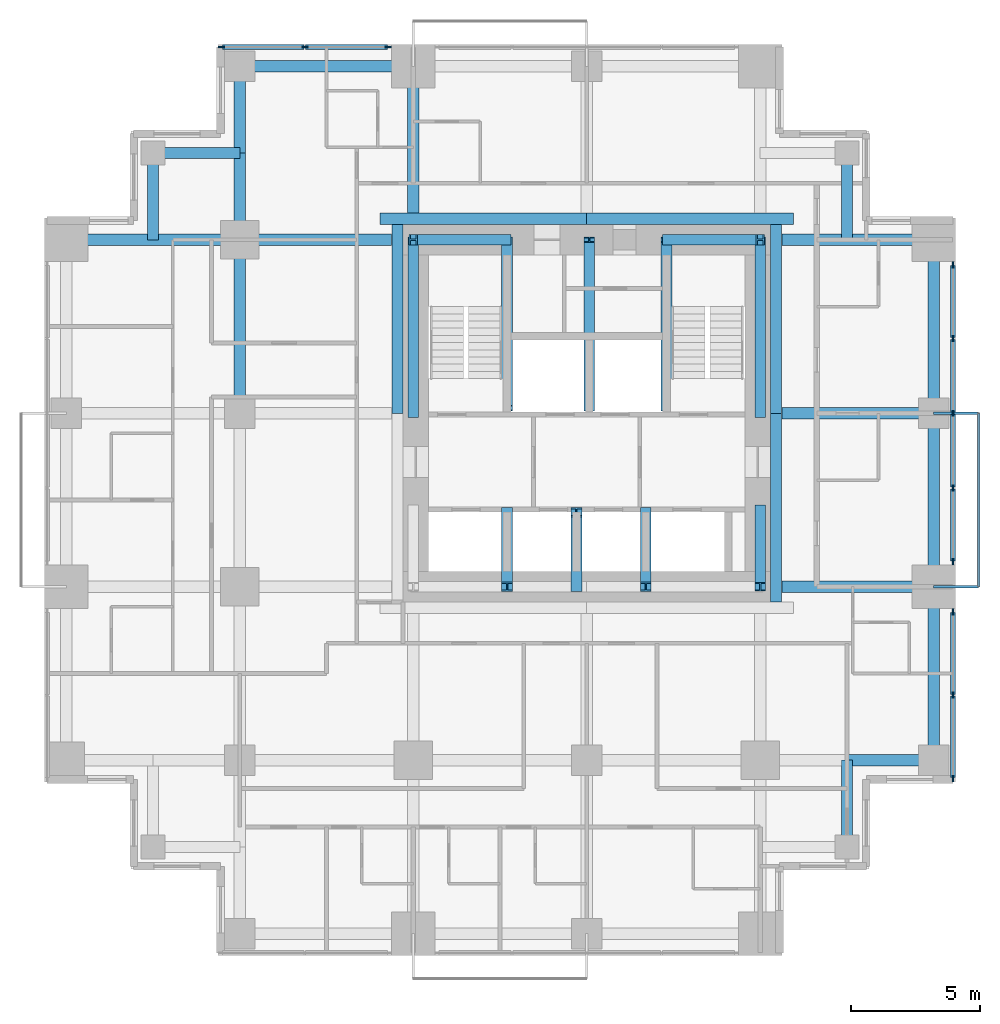
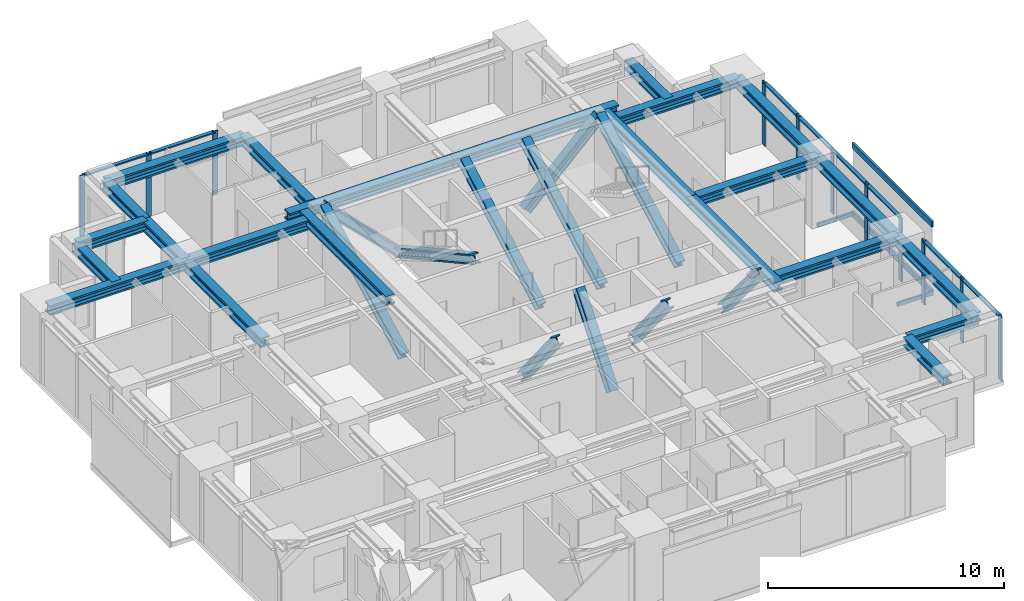
# One storey, part 3 of 10: 34 members, 23 beams, 3 elements without a shape of their own.
"""IFC4 building model written with IfcOpenShell, lengths in metres."""

from ifc_helpers import new_model, si_unit, direction, frame, origin, origin_2d, place, context, subcontext, project, spatial, rectangle, hollow_rectangle, i_section, extrude, material, material_profile, profile_set, type_object, element, aggregate, save


model = new_model("IFC4")

# Units and contexts
model_context = context("Model", 3, precision=1e-05, world=origin(), true_north=direction((0.0, 1.0)))
body_context = subcontext(model_context, "Body", "Model", "MODEL_VIEW")
ifc_project = project(units=[si_unit("LENGTHUNIT", "METRE"), si_unit("AREAUNIT", "SQUARE_METRE"), si_unit("VOLUMEUNIT", "CUBIC_METRE"), si_unit("PLANEANGLEUNIT", "RADIAN"), si_unit("MASSUNIT", "GRAM", prefix="KILO")], contexts=[model_context])

# Site, building, storey
site_placement = place(None, origin())
site = spatial("IfcSite", under=ifc_project, at=site_placement, CompositionType="ELEMENT")
building_placement = place(site_placement, origin())
building = spatial("IfcBuilding", under=site, at=building_placement, Name="Nyansa Garden Tower", CompositionType="ELEMENT")
storey_placement = place(building_placement, frame((0.0, 0.0, 196.199951171875)))
storey = spatial("IfcBuildingStorey", under=building, at=storey_placement, Name="L53", CompositionType="ELEMENT", Elevation=196.199951171875)

# Curtain wall, members
ifc_material_1 = material(Name="Black anodised aluminium, dark tinted double glazing", Category="aluminium")
curtain_wall_type = type_object("IfcCurtainWallType", Name="Inner skin curtain wall ISW-C", PredefinedType="USERDEFINED", material=ifc_material_1)
curtain_wall_1_placement = place(storey_placement, origin())
curtain_wall_1 = element("IfcCurtainWall", 1, at=curtain_wall_1_placement, inside=storey, type_object=curtain_wall_type, Name="Inner skin curtain wall L53 E", ObjectType="UNITISED CURTAIN WALL", PredefinedType="USERDEFINED")
ifc_material_2 = material(Name="Black anodised aluminium", Category="aluminium")
ifc_material_profile_1 = material_profile(ifc_material_2, rectangle(XDim=0.070068359375, YDim=0.25, at=origin_2d()), Name="Mullion 250x70")
ifc_profile_set_1 = profile_set([ifc_material_profile_1], Name="Black anodised aluminium")
member_type_1 = type_object("IfcMemberType", Name="Mullion ISW-C 250x70", PredefinedType="MULLION", material=ifc_profile_set_1)
member_1_placement = place(storey_placement, frame((34.5, 6.034912109375, 0.0), z_axis=(0.0, 0.0, 1.0), x_axis=(-1.0, 0.0, 0.0)))
member_1 = element("IfcMember", 2, at=member_1_placement, type_object=member_type_1, Name="ISW-C mullion 1", PredefinedType="MULLION", context=body_context, shape_type="SweptSolid", body=[
    extrude(rectangle(XDim=0.070068359375, YDim=0.25, at=origin_2d()), origin(), (0.0, 0.0, 1.0), 3.300048828125),
])
member_2_placement = place(storey_placement, frame((34.5, 9.280029296875, 0.0), z_axis=(0.0, 0.0, 1.0), x_axis=(-1.0, 0.0, 0.0)))
member_2 = element("IfcMember", 3, at=member_2_placement, type_object=member_type_1, Name="ISW-C mullion 2", PredefinedType="MULLION", context=body_context, shape_type="SweptSolid", body=[
    extrude(rectangle(XDim=0.070068359375, YDim=0.25, at=origin_2d()), origin(), (0.0, 0.0, 1.0), 3.300048828125),
])
member_3_placement = place(storey_placement, frame((34.5, 12.52490234375, 0.0), z_axis=(0.0, 0.0, 1.0), x_axis=(-1.0, 0.0, 0.0)))
member_3 = element("IfcMember", 4, at=member_3_placement, type_object=member_type_1, Name="ISW-C mullion 3", PredefinedType="MULLION", context=body_context, shape_type="SweptSolid", body=[
    extrude(rectangle(XDim=0.070068359375, YDim=0.25, at=origin_2d()), origin(), (0.0, 0.0, 1.0), 3.300048828125),
])

curtain_wall_2_placement = place(storey_placement, origin())
curtain_wall_2 = element("IfcCurtainWall", 5, at=curtain_wall_2_placement, inside=storey, type_object=curtain_wall_type, Name="Inner skin curtain wall L53 E", ObjectType="UNITISED CURTAIN WALL", PredefinedType="USERDEFINED")
member_4_placement = place(storey_placement, frame((34.5, 14.47509765625, 0.0), z_axis=(0.0, 0.0, 1.0), x_axis=(-1.0, 0.0, 0.0)))
member_4 = element("IfcMember", 6, at=member_4_placement, type_object=member_type_1, Name="ISW-C mullion 1", PredefinedType="MULLION", context=body_context, shape_type="SweptSolid", body=[
    extrude(rectangle(XDim=0.070068359375, YDim=0.25, at=origin_2d()), origin(), (0.0, 0.0, 1.0), 3.300048828125),
])
member_5_placement = place(storey_placement, frame((34.5, 17.344970703125, 0.0), z_axis=(0.0, 0.0, 1.0), x_axis=(-1.0, 0.0, 0.0)))
member_5 = element("IfcMember", 7, at=member_5_placement, type_object=member_type_1, Name="ISW-C mullion 2", PredefinedType="MULLION", context=body_context, shape_type="SweptSolid", body=[
    extrude(rectangle(XDim=0.070068359375, YDim=0.25, at=origin_2d()), origin(), (0.0, 0.0, 1.0), 3.300048828125),
])
member_6_placement = place(storey_placement, frame((34.5, 20.25, 0.0), z_axis=(0.0, 0.0, 1.0), x_axis=(-1.0, 0.0, 0.0)))
member_6 = element("IfcMember", 8, at=member_6_placement, type_object=member_type_1, Name="ISW-C mullion 3", PredefinedType="MULLION", context=body_context, shape_type="SweptSolid", body=[
    extrude(rectangle(XDim=0.070068359375, YDim=0.25, at=origin_2d()), origin(), (0.0, 0.0, 1.0), 3.300048828125),
])
member_7_placement = place(storey_placement, frame((34.5, 23.155029296875, 0.0), z_axis=(0.0, 0.0, 1.0), x_axis=(-1.0, 0.0, 0.0)))
member_7 = element("IfcMember", 9, at=member_7_placement, type_object=member_type_1, Name="ISW-C mullion 4", PredefinedType="MULLION", context=body_context, shape_type="SweptSolid", body=[
    extrude(rectangle(XDim=0.070068359375, YDim=0.25, at=origin_2d()), origin(), (0.0, 0.0, 1.0), 3.300048828125),
])
member_8_placement = place(storey_placement, frame((34.5, 26.02490234375, 0.0), z_axis=(0.0, 0.0, 1.0), x_axis=(-1.0, 0.0, 0.0)))
member_8 = element("IfcMember", 10, at=member_8_placement, type_object=member_type_1, Name="ISW-C mullion 5", PredefinedType="MULLION", context=body_context, shape_type="SweptSolid", body=[
    extrude(rectangle(XDim=0.070068359375, YDim=0.25, at=origin_2d()), origin(), (0.0, 0.0, 1.0), 3.300048828125),
])

curtain_wall_3_placement = place(storey_placement, origin())
curtain_wall_3 = element("IfcCurtainWall", 11, at=curtain_wall_3_placement, inside=storey, type_object=curtain_wall_type, Name="Inner skin curtain wall L53 N", ObjectType="UNITISED CURTAIN WALL", PredefinedType="USERDEFINED")
member_9_placement = place(storey_placement, frame((12.52490234375, 34.5, 0.0), z_axis=(0.0, 0.0, 1.0), x_axis=(0.0, -1.0, 0.0)))
member_9 = element("IfcMember", 12, at=member_9_placement, type_object=member_type_1, Name="ISW-C mullion 1", PredefinedType="MULLION", context=body_context, shape_type="SweptSolid", body=[
    extrude(rectangle(XDim=0.070068359375, YDim=0.25, at=origin_2d()), origin(), (0.0, 0.0, 1.0), 3.300048828125),
])
member_10_placement = place(storey_placement, frame((9.280029296875, 34.5, 0.0), z_axis=(0.0, 0.0, 1.0), x_axis=(0.0, -1.0, 0.0)))
member_10 = element("IfcMember", 13, at=member_10_placement, type_object=member_type_1, Name="ISW-C mullion 2", PredefinedType="MULLION", context=body_context, shape_type="SweptSolid", body=[
    extrude(rectangle(XDim=0.070068359375, YDim=0.25, at=origin_2d()), origin(), (0.0, 0.0, 1.0), 3.300048828125),
])
member_11_placement = place(storey_placement, frame((6.034912109375, 34.5, 0.0), z_axis=(0.0, 0.0, 1.0), x_axis=(0.0, -1.0, 0.0)))
member_11 = element("IfcMember", 14, at=member_11_placement, type_object=member_type_1, Name="ISW-C mullion 3", PredefinedType="MULLION", context=body_context, shape_type="SweptSolid", body=[
    extrude(rectangle(XDim=0.070068359375, YDim=0.25, at=origin_2d()), origin(), (0.0, 0.0, 1.0), 3.300048828125),
])

# Members
ifc_material_3 = material(Name="Steel S355, black powder coated", Category="steel")
ifc_material_profile_2 = material_profile(ifc_material_3, hollow_rectangle(XDim=0.10009765625, YDim=0.199951171875, WallThickness=0.008056640625, at=origin_2d()), Name="RHS 200x100x8")
ifc_profile_set_2 = profile_set([ifc_material_profile_2], Name="Steel S355, black powder coated")
member_type_2 = type_object("IfcMemberType", Name="Outer skin bracket arm RHS 200x100x8", PredefinedType="USERDEFINED", material=ifc_profile_set_2)
for number, where, z_axis, x_axis, name in (
    (15, (33.75, 13.5, -0.375), (1.0, 0.0, 0.0), (0.0, 1.0, 0.0), "Outer skin bracket arm"),
    (16, (33.75, 20.25, -0.375), (1.0, 0.0, 0.0), (0.0, 1.0, 0.0), "Outer skin bracket arm"),
):
    element("IfcMember", number, at=place(storey_placement, frame(where, z_axis=z_axis, x_axis=x_axis)), inside=storey, type_object=member_type_2, Name=name, ObjectType="OUTER SKIN BRACKET", PredefinedType="USERDEFINED", context=body_context, shape_type="SweptSolid", body=[
        extrude(hollow_rectangle(XDim=0.10009765625, YDim=0.199951171875, WallThickness=0.008056640625, at=origin_2d()), origin(), (0.0, 0.0, 1.0), 1.75),
    ])
ifc_material_4 = material(Name="Steel S355, black powder coated", Category="steel")
ifc_material_profile_3 = material_profile(ifc_material_4, hollow_rectangle(XDim=0.10009765625, YDim=0.300048828125, WallThickness=0.010009765625, at=origin_2d()), Name="RHS 300x100x10")
ifc_profile_set_3 = profile_set([ifc_material_profile_3], Name="Steel S355, black powder coated")
member_type_3 = type_object("IfcMemberType", Name="Outer skin rail RHS 300x100x10", PredefinedType="USERDEFINED", material=ifc_profile_set_3)
for number, where, z_axis, x_axis, name in (
    (17, (35.5, 13.5, -0.375), (0.0, 1.0, 0.0), (-1.0, 0.0, 0.0), "Outer skin rail L53"),
    (18, (35.5, 13.5, 3.150146484375), (0.0, 1.0, 0.0), (-1.0, 0.0, 0.0), "Outer skin rail L53 head"),
):
    element("IfcMember", number, at=place(storey_placement, frame(where, z_axis=z_axis, x_axis=x_axis)), inside=storey, type_object=member_type_3, Name=name, ObjectType="OUTER SKIN RAIL", PredefinedType="USERDEFINED", context=body_context, shape_type="SweptSolid", body=[
        extrude(hollow_rectangle(XDim=0.10009765625, YDim=0.300048828125, WallThickness=0.010009765625, at=origin_2d()), origin(), (0.0, 0.0, 1.0), 6.75),
    ])
ifc_material_5 = material(Name="Steel S355", Category="steel")
ifc_material_profile_4 = material_profile(ifc_material_5, i_section(OverallWidth=0.41796875, OverallDepth=0.455078125, WebThickness=0.0419921875, FlangeThickness=0.067626953125, FilletRadius=0.014892578125, at=origin_2d()), Name="HD 400x463")
ifc_profile_set_4 = profile_set([ifc_material_profile_4], Name="Steel S355")
member_type_4 = type_object("IfcMemberType", Name="Perimeter brace heavy HD 400x463", PredefinedType="BRACE", material=ifc_profile_set_4)
for number, where, z_axis, x_axis, name in (
    (19, (17.14990234375, 27.0, 0.0), (-0.711947531702, 0.0, 0.702232662373), (0.0, -1.0, 0.0), "Core brace CN3 L53"),
    (20, (23.35009765625, 27.0, 0.0), (0.711947531702, 0.0, 0.702232662373), (0.0, 1.0, 0.0), "Core brace CN4 L53"),
):
    element("IfcMember", number, at=place(storey_placement, frame(where, z_axis=z_axis, x_axis=x_axis)), inside=storey, type_object=member_type_4, Name=name, PredefinedType="BRACE", context=body_context, shape_type="SweptSolid", body=[
        extrude(i_section(OverallWidth=0.41796875, OverallDepth=0.455078125, WebThickness=0.0419921875, FlangeThickness=0.067626953125, FilletRadius=0.014892578125, at=origin_2d()), origin(), (0.0, 0.0, 1.0), 5.126708984375),
    ])
member_12_placement = place(storey_placement, frame((13.5, 20.199951171875, 0.0), z_axis=(0.0, 0.883784057226, 0.467895009796), x_axis=(-1.0, 0.0, 0.0)))
element("IfcMember", 21, at=member_12_placement, inside=storey, type_object=member_type_4, Name="Core brace CW6 L53", PredefinedType="BRACE", context=body_context, shape_type="SweptSolid", body=[
    extrude(i_section(OverallWidth=0.41796875, OverallDepth=0.455078125, WebThickness=0.0419921875, FlangeThickness=0.067626953125, FilletRadius=0.014892578125, at=origin_2d()), origin(), (0.0, 0.0, 1.0), 7.6943359375),
])
member_13_placement = place(storey_placement, frame((27.0, 16.5, 0.0), z_axis=(0.0, -0.640174150918, 0.768229820104), x_axis=(1.0, 0.0, 0.0)))
element("IfcMember", 22, at=member_13_placement, inside=storey, type_object=member_type_4, Name="Core brace CE7 L53", PredefinedType="BRACE", context=body_context, shape_type="SweptSolid", body=[
    extrude(i_section(OverallWidth=0.41796875, OverallDepth=0.455078125, WebThickness=0.0419921875, FlangeThickness=0.067626953125, FilletRadius=0.014892578125, at=origin_2d()), origin(), (0.0, 0.0, 1.0), 4.686279296875),
])
member_14_placement = place(storey_placement, frame((27.0, 20.199951171875, 0.0), z_axis=(0.0, 0.883784057226, 0.467895009796), x_axis=(-1.0, 0.0, 0.0)))
element("IfcMember", 23, at=member_14_placement, inside=storey, type_object=member_type_4, Name="Core brace CE8 L53", PredefinedType="BRACE", context=body_context, shape_type="SweptSolid", body=[
    extrude(i_section(OverallWidth=0.41796875, OverallDepth=0.455078125, WebThickness=0.0419921875, FlangeThickness=0.067626953125, FilletRadius=0.014892578125, at=origin_2d()), origin(), (0.0, 0.0, 1.0), 7.6943359375),
])
for number, where, z_axis, x_axis, name in (
    (24, (17.14990234375, 27.0, 0.0), (0.0, -0.876353113771, 0.481669201822), (1.0, 0.0, 0.0), "Core brace CWS9 L53"),
    (25, (23.35009765625, 20.449951171875, 0.0), (0.0, 0.876353113771, 0.481669201822), (-1.0, 0.0, 0.0), "Core brace CES10 L53"),
):
    element("IfcMember", number, at=place(storey_placement, frame(where, z_axis=z_axis, x_axis=x_axis)), inside=storey, type_object=member_type_4, Name=name, PredefinedType="BRACE", context=body_context, shape_type="SweptSolid", body=[
        extrude(i_section(OverallWidth=0.41796875, OverallDepth=0.455078125, WebThickness=0.0419921875, FlangeThickness=0.067626953125, FilletRadius=0.014892578125, at=origin_2d()), origin(), (0.0, 0.0, 1.0), 7.47412109375),
    ])
for number, where, z_axis, x_axis, name in (
    (26, (17.14990234375, 16.39990234375, 0.0), (0.0, -0.627306405886, 0.778772542617), (1.0, 0.0, 0.0), "Core brace CSW11 L53"),
    (27, (19.85009765625, 13.5, 0.0), (0.0, 0.627306405886, 0.778772542617), (-1.0, 0.0, 0.0), "Core brace CSW12 L53"),
    (28, (22.550048828125, 16.39990234375, 0.0), (0.0, -0.627306405886, 0.778772542617), (1.0, 0.0, 0.0), "Core brace CSW13 L53"),
):
    element("IfcMember", number, at=place(storey_placement, frame(where, z_axis=z_axis, x_axis=x_axis)), inside=storey, type_object=member_type_4, Name=name, PredefinedType="BRACE", context=body_context, shape_type="SweptSolid", body=[
        extrude(i_section(OverallWidth=0.41796875, OverallDepth=0.455078125, WebThickness=0.0419921875, FlangeThickness=0.067626953125, FilletRadius=0.014892578125, at=origin_2d()), origin(), (0.0, 0.0, 1.0), 4.622802734375),
    ])
member_15_placement = place(storey_placement, frame((20.35009765625, 20.449951171875, 0.0), z_axis=(0.0, 0.876353113771, 0.481669201822), x_axis=(-1.0, 0.0, 0.0)))
element("IfcMember", 29, at=member_15_placement, inside=storey, type_object=member_type_4, Name="Core brace CNW14 L53", PredefinedType="BRACE", context=body_context, shape_type="SweptSolid", body=[
    extrude(i_section(OverallWidth=0.41796875, OverallDepth=0.455078125, WebThickness=0.0419921875, FlangeThickness=0.067626953125, FilletRadius=0.014892578125, at=origin_2d()), origin(), (0.0, 0.0, 1.0), 7.47412109375),
])

# Beams
ifc_material_6 = material(Name="Steel S355", Category="steel")
ifc_material_profile_5 = material_profile(ifc_material_6, i_section(OverallWidth=0.431884765625, OverallDepth=0.498046875, WebThickness=0.0556640625, FlangeThickness=0.0888671875, FilletRadius=0.014892578125, at=origin_2d()), Name="HD 400x744")
ifc_profile_set_5 = profile_set([ifc_material_profile_5], Name="Steel S355")
beam_type_1 = type_object("IfcBeamType", Name="Steel beam SBC2-744 HD 400x744", PredefinedType="BEAM", material=ifc_profile_set_5)
beam_1_placement = place(storey_placement, frame((6.75, 20.25, 3.051025390625), z_axis=(0.0, 1.0, 0.0), x_axis=(-1.0, 0.0, 0.0)))
element("IfcBeam", 30, at=beam_1_placement, inside=storey, type_object=beam_type_1, Name="Steel beam 3/G-3/H L54", PredefinedType="BEAM", context=body_context, shape_type="SweptSolid", body=[
    extrude(i_section(OverallWidth=0.431884765625, OverallDepth=0.498046875, WebThickness=0.0556640625, FlangeThickness=0.0888671875, FilletRadius=0.014892578125, at=origin_2d()), origin(), (0.0, 0.0, 1.0), 6.75),
])
beam_2_placement = place(storey_placement, frame((6.75, 27.0, 3.051025390625), z_axis=(0.0, 1.0, 0.0), x_axis=(-1.0, 0.0, 0.0)))
element("IfcBeam", 31, at=beam_2_placement, inside=storey, type_object=beam_type_1, Name="Steel beam 3/H-3/30.375 L54", PredefinedType="BEAM", context=body_context, shape_type="SweptSolid", body=[
    extrude(i_section(OverallWidth=0.431884765625, OverallDepth=0.498046875, WebThickness=0.0556640625, FlangeThickness=0.0888671875, FilletRadius=0.014892578125, at=origin_2d()), origin(), (0.0, 0.0, 1.0), 3.375),
])
beam_3_placement = place(storey_placement, frame((27.85009765625, 20.25, 3.051025390625), z_axis=(1.0, 0.0, 0.0), x_axis=(0.0, 1.0, 0.0)))
element("IfcBeam", 32, at=beam_3_placement, inside=storey, type_object=beam_type_1, Name="Steel beam 27.850/G-7/G L54", PredefinedType="BEAM", context=body_context, shape_type="SweptSolid", body=[
    extrude(i_section(OverallWidth=0.431884765625, OverallDepth=0.498046875, WebThickness=0.0556640625, FlangeThickness=0.0888671875, FilletRadius=0.014892578125, at=origin_2d()), origin(), (0.0, 0.0, 1.0), 5.89990234375),
])
ifc_material_7 = material(Name="Steel S355", Category="steel")
ifc_material_profile_6 = material_profile(ifc_material_7, i_section(OverallWidth=0.431884765625, OverallDepth=0.498046875, WebThickness=0.0556640625, FlangeThickness=0.0888671875, FilletRadius=0.014892578125, at=origin_2d()), Name="HD 400x744")
ifc_profile_set_6 = profile_set([ifc_material_profile_6], Name="Steel S355")
beam_type_2 = type_object("IfcBeamType", Name="Steel beam SEBC-744 HD 400x744", PredefinedType="BEAM", material=ifc_profile_set_6)
for number, where, z_axis, x_axis, name in (
    (33, (6.75, 33.75, 3.051025390625), (1.0, 0.0, 0.0), (0.0, 1.0, 0.0), "Steel edge beam 3/J-4/J L54"),
    (34, (33.75, 6.75, 3.051025390625), (0.0, 1.0, 0.0), (-1.0, 0.0, 0.0), "Steel edge beam 7/E-7/F L54"),
    (35, (33.75, 13.5, 3.051025390625), (0.0, 1.0, 0.0), (-1.0, 0.0, 0.0), "Steel edge beam 7/F-7/G L54"),
    (36, (33.75, 20.25, 3.051025390625), (0.0, 1.0, 0.0), (-1.0, 0.0, 0.0), "Steel edge beam 7/G-7/H L54"),
):
    element("IfcBeam", number, at=place(storey_placement, frame(where, z_axis=z_axis, x_axis=x_axis)), inside=storey, type_object=beam_type_2, Name=name, PredefinedType="BEAM", context=body_context, shape_type="SweptSolid", body=[
        extrude(i_section(OverallWidth=0.431884765625, OverallDepth=0.498046875, WebThickness=0.0556640625, FlangeThickness=0.0888671875, FilletRadius=0.014892578125, at=origin_2d()), origin(), (0.0, 0.0, 1.0), 6.75),
    ])
ifc_material_8 = material(Name="Steel S355", Category="steel")
ifc_material_profile_7 = material_profile(ifc_material_8, i_section(OverallWidth=0.431884765625, OverallDepth=0.498046875, WebThickness=0.0556640625, FlangeThickness=0.0888671875, FilletRadius=0.014892578125, at=origin_2d()), Name="HD 400x744")
ifc_profile_set_7 = profile_set([ifc_material_profile_7], Name="Steel S355")
beam_type_3 = type_object("IfcBeamType", Name="Steel beam SEBC2-744 HD 400x744", PredefinedType="BEAM", material=ifc_profile_set_7)
for number, where, z_axis, x_axis, name in (
    (37, (6.75, 30.375, 3.051025390625), (0.0, 1.0, 0.0), (-1.0, 0.0, 0.0), "Steel edge beam 3/30.375-3/J L54"),
    (38, (30.375, 6.75, 3.051025390625), (1.0, 0.0, 0.0), (0.0, 1.0, 0.0), "Steel edge beam 30.375/E-7/E L54"),
):
    element("IfcBeam", number, at=place(storey_placement, frame(where, z_axis=z_axis, x_axis=x_axis)), inside=storey, type_object=beam_type_3, Name=name, PredefinedType="BEAM", context=body_context, shape_type="SweptSolid", body=[
        extrude(i_section(OverallWidth=0.431884765625, OverallDepth=0.498046875, WebThickness=0.0556640625, FlangeThickness=0.0888671875, FilletRadius=0.014892578125, at=origin_2d()), origin(), (0.0, 0.0, 1.0), 3.375),
    ])
ifc_material_9 = material(Name="Steel S355", Category="steel")
ifc_material_profile_8 = material_profile(ifc_material_9, i_section(OverallWidth=0.431884765625, OverallDepth=0.498046875, WebThickness=0.0556640625, FlangeThickness=0.0888671875, FilletRadius=0.014892578125, at=origin_2d()), Name="HD 400x744")
ifc_profile_set_8 = profile_set([ifc_material_profile_8], Name="Steel S355")
beam_type_4 = type_object("IfcBeamType", Name="Steel beam SLB1-744 HD 400x744", PredefinedType="BEAM", material=ifc_profile_set_8)
for number, where, z_axis, x_axis, name in (
    (39, (27.615966796875, 12.89990234375, 3.051025390625), (0.0, 1.0, 0.0), (-1.0, 0.0, 0.0), "Steel core ledger beam E.1 L54"),
    (40, (27.615966796875, 20.25, 3.051025390625), (0.0, 1.0, 0.0), (-1.0, 0.0, 0.0), "Steel core ledger beam E.2 L54"),
):
    element("IfcBeam", number, at=place(storey_placement, frame(where, z_axis=z_axis, x_axis=x_axis)), inside=storey, type_object=beam_type_4, Name=name, PredefinedType="BEAM", context=body_context, shape_type="SweptSolid", body=[
        extrude(i_section(OverallWidth=0.431884765625, OverallDepth=0.498046875, WebThickness=0.0556640625, FlangeThickness=0.0888671875, FilletRadius=0.014892578125, at=origin_2d()), origin(), (0.0, 0.0, 1.0), 7.35009765625),
    ])
for number, where, z_axis, x_axis, name in (
    (41, (28.300048828125, 27.81591796875, 3.051025390625), (-1.0, 0.0, 0.0), (0.0, -1.0, 0.0), "Steel core ledger beam N.1 L54"),
    (42, (20.25, 27.81591796875, 3.051025390625), (-1.0, 0.0, 0.0), (0.0, -1.0, 0.0), "Steel core ledger beam N.2 L54"),
):
    element("IfcBeam", number, at=place(storey_placement, frame(where, z_axis=z_axis, x_axis=x_axis)), inside=storey, type_object=beam_type_4, Name=name, PredefinedType="BEAM", context=body_context, shape_type="SweptSolid", body=[
        extrude(i_section(OverallWidth=0.431884765625, OverallDepth=0.498046875, WebThickness=0.0556640625, FlangeThickness=0.0888671875, FilletRadius=0.014892578125, at=origin_2d()), origin(), (0.0, 0.0, 1.0), 8.050048828125),
    ])
beam_4_placement = place(storey_placement, frame((12.884033203125, 27.60009765625, 3.051025390625), z_axis=(0.0, -1.0, 0.0), x_axis=(1.0, 0.0, 0.0)))
element("IfcBeam", 43, at=beam_4_placement, inside=storey, type_object=beam_type_4, Name="Steel core ledger beam W.1 L54", PredefinedType="BEAM", context=body_context, shape_type="SweptSolid", body=[
    extrude(i_section(OverallWidth=0.431884765625, OverallDepth=0.498046875, WebThickness=0.0556640625, FlangeThickness=0.0888671875, FilletRadius=0.014892578125, at=origin_2d()), origin(), (0.0, 0.0, 1.0), 7.35009765625),
])
ifc_material_10 = material(Name="Steel S355", Category="steel")
ifc_material_profile_9 = material_profile(ifc_material_10, i_section(OverallWidth=0.431884765625, OverallDepth=0.498046875, WebThickness=0.0556640625, FlangeThickness=0.0888671875, FilletRadius=0.014892578125, at=origin_2d()), Name="HD 400x744")
ifc_profile_set_9 = profile_set([ifc_material_profile_9], Name="Steel S355")
beam_type_5 = type_object("IfcBeamType", Name="Steel beam SOC1-744 HD 400x744", PredefinedType="BEAM", material=ifc_profile_set_9)
beam_5_placement = place(storey_placement, frame((0.0, 27.0, 3.051025390625), z_axis=(1.0, 0.0, 0.0), x_axis=(0.0, 1.0, 0.0)))
element("IfcBeam", 44, at=beam_5_placement, inside=storey, type_object=beam_type_5, Name="Steel beam 2/H-3/H L54", PredefinedType="BEAM", context=body_context, shape_type="SweptSolid", body=[
    extrude(i_section(OverallWidth=0.431884765625, OverallDepth=0.498046875, WebThickness=0.0556640625, FlangeThickness=0.0888671875, FilletRadius=0.014892578125, at=origin_2d()), origin(), (0.0, 0.0, 1.0), 6.75),
])
beam_6_placement = place(storey_placement, frame((6.75, 27.0, 3.051025390625), z_axis=(1.0, 0.0, 0.0), x_axis=(0.0, 1.0, 0.0)))
element("IfcBeam", 45, at=beam_6_placement, inside=storey, type_object=beam_type_5, Name="Steel beam 3/H-12.650/H L54", PredefinedType="BEAM", context=body_context, shape_type="SweptSolid", body=[
    extrude(i_section(OverallWidth=0.431884765625, OverallDepth=0.498046875, WebThickness=0.0556640625, FlangeThickness=0.0888671875, FilletRadius=0.014892578125, at=origin_2d()), origin(), (0.0, 0.0, 1.0), 5.89990234375),
])
beam_7_placement = place(storey_placement, frame((13.5, 28.050048828125, 3.051025390625), z_axis=(0.0, 1.0, 0.0), x_axis=(-1.0, 0.0, 0.0)))
element("IfcBeam", 46, at=beam_7_placement, inside=storey, type_object=beam_type_5, Name="Steel beam 4/28.050-4/J L54", PredefinedType="BEAM", context=body_context, shape_type="SweptSolid", body=[
    extrude(i_section(OverallWidth=0.431884765625, OverallDepth=0.498046875, WebThickness=0.0556640625, FlangeThickness=0.0888671875, FilletRadius=0.014892578125, at=origin_2d()), origin(), (0.0, 0.0, 1.0), 5.699951171875),
])
for number, where, z_axis, x_axis, name in (
    (47, (27.85009765625, 13.5, 3.051025390625), (1.0, 0.0, 0.0), (0.0, 1.0, 0.0), "Steel beam 27.850/F-7/F L54"),
    (48, (27.85009765625, 27.0, 3.051025390625), (1.0, 0.0, 0.0), (0.0, 1.0, 0.0), "Steel beam 27.850/H-7/H L54"),
):
    element("IfcBeam", number, at=place(storey_placement, frame(where, z_axis=z_axis, x_axis=x_axis)), inside=storey, type_object=beam_type_5, Name=name, PredefinedType="BEAM", context=body_context, shape_type="SweptSolid", body=[
        extrude(i_section(OverallWidth=0.431884765625, OverallDepth=0.498046875, WebThickness=0.0556640625, FlangeThickness=0.0888671875, FilletRadius=0.014892578125, at=origin_2d()), origin(), (0.0, 0.0, 1.0), 5.89990234375),
    ])
ifc_material_11 = material(Name="Steel S355", Category="steel")
ifc_material_profile_10 = material_profile(ifc_material_11, i_section(OverallWidth=0.431884765625, OverallDepth=0.498046875, WebThickness=0.0556640625, FlangeThickness=0.0888671875, FilletRadius=0.014892578125, at=origin_2d()), Name="HD 400x744")
ifc_profile_set_10 = profile_set([ifc_material_profile_10], Name="Steel S355")
beam_type_6 = type_object("IfcBeamType", Name="Steel beam SSB1-744 HD 400x744", PredefinedType="BEAM", material=ifc_profile_set_10)
for number, where, z_axis, x_axis, name in (
    (49, (30.375, 3.375, 3.051025390625), (0.0, 1.0, 0.0), (-1.0, 0.0, 0.0), "Steel step beam 30.375/3.375 L54"),
    (50, (30.375, 30.375, 3.051025390625), (0.0, -1.0, 0.0), (1.0, 0.0, 0.0), "Steel step beam 30.375/30.375 L54"),
    (51, (3.375, 30.375, 3.051025390625), (0.0, -1.0, 0.0), (1.0, 0.0, 0.0), "Steel step beam 3.375/30.375 L54"),
    (52, (3.375, 30.375, 3.051025390625), (1.0, 0.0, 0.0), (0.0, 1.0, 0.0), "Steel step beam 3.375/30.375 L54"),
):
    element("IfcBeam", number, at=place(storey_placement, frame(where, z_axis=z_axis, x_axis=x_axis)), inside=storey, type_object=beam_type_6, Name=name, PredefinedType="BEAM", context=body_context, shape_type="SweptSolid", body=[
        extrude(i_section(OverallWidth=0.431884765625, OverallDepth=0.498046875, WebThickness=0.0556640625, FlangeThickness=0.0888671875, FilletRadius=0.014892578125, at=origin_2d()), origin(), (0.0, 0.0, 1.0), 3.375),
    ])

# Member
ifc_material_12 = material(Name="Black anodised aluminium", Category="aluminium")
ifc_material_profile_11 = material_profile(ifc_material_12, rectangle(XDim=0.179931640625, YDim=0.070068359375, at=origin_2d()), Name="Transom 180x70")
ifc_profile_set_11 = profile_set([ifc_material_profile_11], Name="Black anodised aluminium")
member_type_5 = type_object("IfcMemberType", Name="Transom ISW-C 180x70", PredefinedType="USERDEFINED", material=ifc_profile_set_11)
member_16_placement = place(storey_placement, frame((34.5, 6.070068359375, 3.26513671875), z_axis=(0.0, 1.0, 0.0), x_axis=(-1.0, 0.0, 0.0)))
member_16 = element("IfcMember", 53, at=member_16_placement, type_object=member_type_5, Name="ISW-C transom 1", ObjectType="TRANSOM", PredefinedType="USERDEFINED", context=body_context, shape_type="SweptSolid", body=[
    extrude(rectangle(XDim=0.179931640625, YDim=0.070068359375, at=origin_2d()), origin(), (0.0, 0.0, 1.0), 3.175048828125),
])

member_17_placement = place(storey_placement, frame((34.5, 9.31494140625, 3.26513671875), z_axis=(0.0, 1.0, 0.0), x_axis=(-1.0, 0.0, 0.0)))
member_17 = element("IfcMember", 54, at=member_17_placement, type_object=member_type_5, Name="ISW-C transom 2", ObjectType="TRANSOM", PredefinedType="USERDEFINED", context=body_context, shape_type="SweptSolid", body=[
    extrude(rectangle(XDim=0.179931640625, YDim=0.070068359375, at=origin_2d()), origin(), (0.0, 0.0, 1.0), 3.175048828125),
])

aggregate(curtain_wall_1, [member_1, member_2, member_3, member_16, member_17])

member_18_placement = place(storey_placement, frame((34.5, 14.510009765625, 3.26513671875), z_axis=(0.0, 1.0, 0.0), x_axis=(-1.0, 0.0, 0.0)))
member_18 = element("IfcMember", 55, at=member_18_placement, type_object=member_type_5, Name="ISW-C transom 1", ObjectType="TRANSOM", PredefinedType="USERDEFINED", context=body_context, shape_type="SweptSolid", body=[
    extrude(rectangle(XDim=0.179931640625, YDim=0.070068359375, at=origin_2d()), origin(), (0.0, 0.0, 1.0), 2.800048828125),
])

member_19_placement = place(storey_placement, frame((34.5, 17.3798828125, 3.26513671875), z_axis=(0.0, 1.0, 0.0), x_axis=(-1.0, 0.0, 0.0)))
member_19 = element("IfcMember", 56, at=member_19_placement, type_object=member_type_5, Name="ISW-C transom 2", ObjectType="TRANSOM", PredefinedType="USERDEFINED", context=body_context, shape_type="SweptSolid", body=[
    extrude(rectangle(XDim=0.179931640625, YDim=0.070068359375, at=origin_2d()), origin(), (0.0, 0.0, 1.0), 2.835205078125),
])

member_20_placement = place(storey_placement, frame((34.5, 20.284912109375, 3.26513671875), z_axis=(0.0, 1.0, 0.0), x_axis=(-1.0, 0.0, 0.0)))
member_20 = element("IfcMember", 57, at=member_20_placement, type_object=member_type_5, Name="ISW-C transom 3", ObjectType="TRANSOM", PredefinedType="USERDEFINED", context=body_context, shape_type="SweptSolid", body=[
    extrude(rectangle(XDim=0.179931640625, YDim=0.070068359375, at=origin_2d()), origin(), (0.0, 0.0, 1.0), 2.835205078125),
])

member_21_placement = place(storey_placement, frame((34.5, 23.18994140625, 3.26513671875), z_axis=(0.0, 1.0, 0.0), x_axis=(-1.0, 0.0, 0.0)))
member_21 = element("IfcMember", 58, at=member_21_placement, type_object=member_type_5, Name="ISW-C transom 4", ObjectType="TRANSOM", PredefinedType="USERDEFINED", context=body_context, shape_type="SweptSolid", body=[
    extrude(rectangle(XDim=0.179931640625, YDim=0.070068359375, at=origin_2d()), origin(), (0.0, 0.0, 1.0), 2.800048828125),
])

aggregate(curtain_wall_2, [member_4, member_5, member_6, member_7, member_8, member_18, member_19, member_20, member_21])

member_22_placement = place(storey_placement, frame((12.489990234375, 34.5, 3.26513671875), z_axis=(-1.0, 0.0, 0.0), x_axis=(0.0, -1.0, 0.0)))
member_22 = element("IfcMember", 59, at=member_22_placement, type_object=member_type_5, Name="ISW-C transom 1", ObjectType="TRANSOM", PredefinedType="USERDEFINED", context=body_context, shape_type="SweptSolid", body=[
    extrude(rectangle(XDim=0.179931640625, YDim=0.070068359375, at=origin_2d()), origin(), (0.0, 0.0, 1.0), 3.175048828125),
])

member_23_placement = place(storey_placement, frame((9.2451171875, 34.5, 3.26513671875), z_axis=(-1.0, 0.0, 0.0), x_axis=(0.0, -1.0, 0.0)))
member_23 = element("IfcMember", 60, at=member_23_placement, type_object=member_type_5, Name="ISW-C transom 2", ObjectType="TRANSOM", PredefinedType="USERDEFINED", context=body_context, shape_type="SweptSolid", body=[
    extrude(rectangle(XDim=0.179931640625, YDim=0.070068359375, at=origin_2d()), origin(), (0.0, 0.0, 1.0), 3.175048828125),
])

aggregate(curtain_wall_3, [member_9, member_10, member_11, member_22, member_23])

save(model, "model.ifc")
